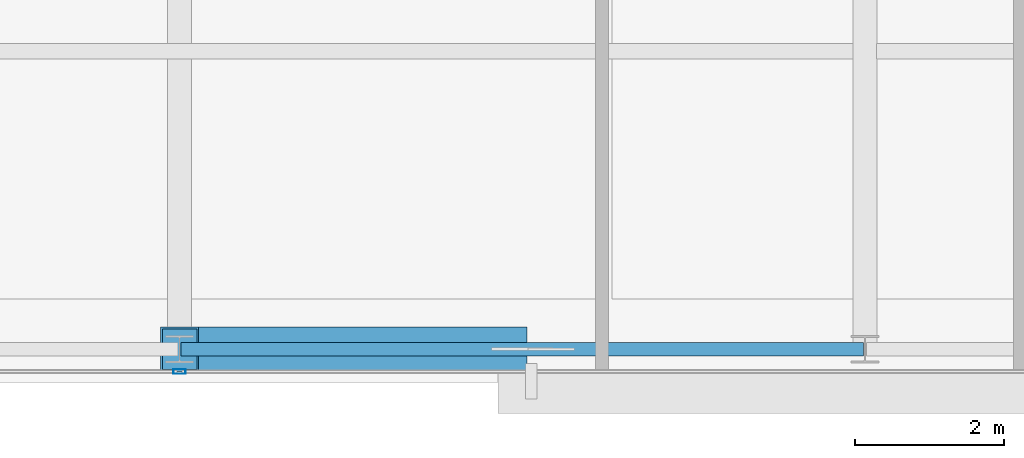
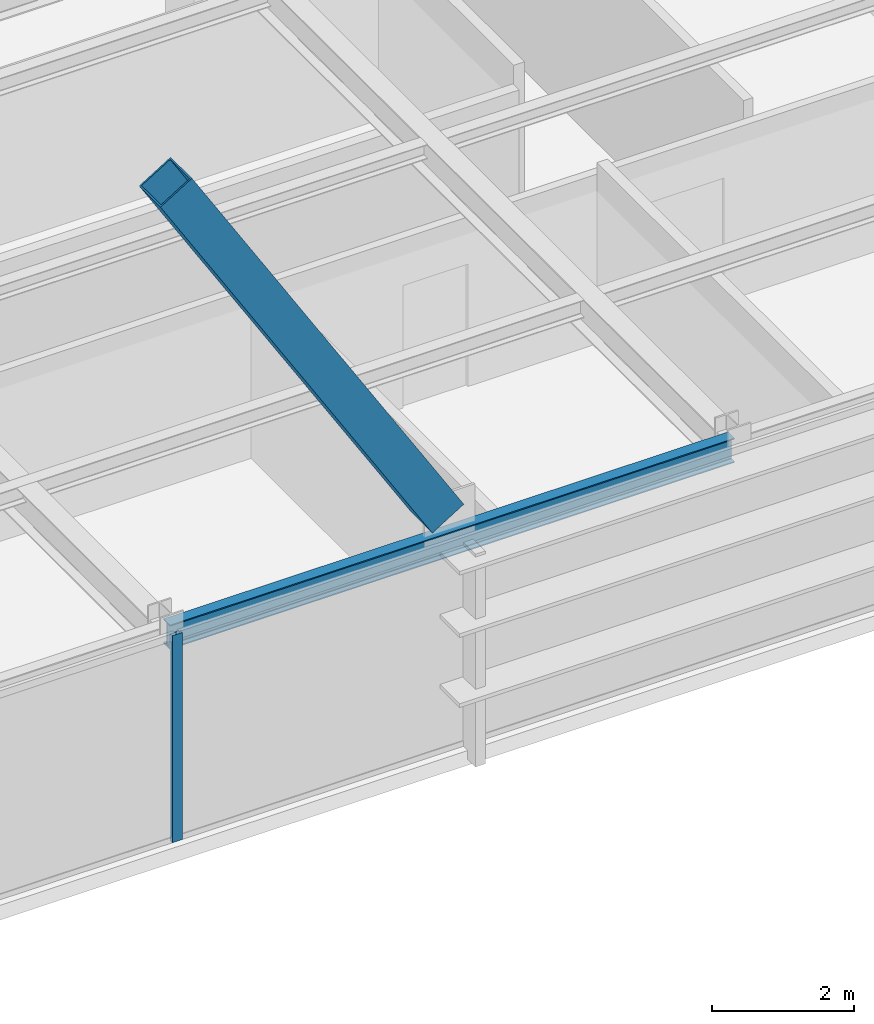
# One storey, part 9 of 30: 2 members, 1 beam, 1 element without a shape of its own.
"""IFC4 building model written with IfcOpenShell, lengths in metres."""

from ifc_helpers import new_model, si_unit, direction, frame, origin, origin_2d, place, context, subcontext, project, spatial, hollow_rectangle, i_section, extrude, source, transform, mapped, material, layer, layer_set, material_profile, profile_set, type_object, type_shapes, element, aggregate, save


model = new_model("IFC4")

# Units and contexts
model_context = context("Model", 3, precision=1e-05, world=origin(), true_north=direction((0.0, 1.0)))
body_context = subcontext(model_context, "Body", "Model", "MODEL_VIEW")
ifc_project = project(units=[si_unit("LENGTHUNIT", "METRE"), si_unit("AREAUNIT", "SQUARE_METRE"), si_unit("VOLUMEUNIT", "CUBIC_METRE"), si_unit("PLANEANGLEUNIT", "RADIAN"), si_unit("MASSUNIT", "GRAM", prefix="KILO")], contexts=[model_context])

# Site, building, storey
site_placement = place(None, origin())
site = spatial("IfcSite", under=ifc_project, at=site_placement, CompositionType="ELEMENT")
building_placement = place(site_placement, origin())
building = spatial("IfcBuilding", under=site, at=building_placement, Name="Varnel Quay Broadcast Tower", CompositionType="ELEMENT")
storey_placement = place(building_placement, frame((0.0, 0.0, 180.0)))
storey = spatial("IfcBuildingStorey", under=building, at=storey_placement, Name="L44", CompositionType="ELEMENT", Elevation=180.0)

# Beam
ifc_material_1 = material(Name="Structural Steel CSA G40.21 350W", Category="steel")
ifc_material_profile_1 = material_profile(ifc_material_1, i_section(OverallWidth=0.180908203125, OverallDepth=0.4169921875, WebThickness=0.010986328125, FlangeThickness=0.018310546875, FilletRadius=0.011962890625, at=origin_2d()), Name="W410X85")
ifc_profile_set_1 = profile_set([ifc_material_profile_1], Name="Structural Steel CSA G40.21 350W")
beam_type = type_object("IfcBeamType", Name="Beam_W410X85", PredefinedType="SPANDREL", material=ifc_profile_set_1)
shared_shape_1 = source(origin(), body_context, "Body", "SweptSolid", [
    extrude(i_section(OverallWidth=0.180908203125, OverallDepth=0.4169921875, WebThickness=0.010986328125, FlangeThickness=0.018310546875, FilletRadius=0.011962890625, at=origin_2d()), origin(), (0.0, 0.0, 1.0), 9.159912109375),
])
type_shapes(beam_type, [shared_shape_1])
beam_placement = place(storey_placement, frame((34.02001953125, 7.64990234375, 3.341552734375), z_axis=(1.0, 0.0, 0.0), x_axis=(0.0, 1.0, 0.0)))
element("IfcBeam", 1, at=beam_placement, inside=storey, type_object=beam_type, Name="L44 South Spandrel TC-S3-TC-S4", PredefinedType="SPANDREL", context=body_context, shape_type="MappedRepresentation", body=[
    mapped(shared_shape_1, transform((0.0, 0.0, 0.0), x_axis=(1.0, 0.0, 0.0), y_axis=(0.0, 1.0, 0.0), z_axis=(0.0, 0.0, 1.0), scale=1.0)),
])

# Member
ifc_material_2 = material(Name="Structural Steel CSA G40.21 350WT", Category="steel")
ifc_material_profile_2 = material_profile(ifc_material_2, hollow_rectangle(XDim=0.60009765625, YDim=0.60009765625, WallThickness=0.028076171875, at=origin_2d()), Name="BOX600X600X28")
ifc_profile_set_2 = profile_set([ifc_material_profile_2], Name="Structural Steel CSA G40.21 350WT")
member_type_1 = type_object("IfcMemberType", Name="Brace_BOX600X600X28", PredefinedType="BRACE", material=ifc_profile_set_2)
shared_shape_2 = source(origin(), body_context, "Body", "SweptSolid", [
    extrude(hollow_rectangle(XDim=0.60009765625, YDim=0.60009765625, WallThickness=0.028076171875, at=origin_2d()), origin(), (0.0, 0.0, 1.0), 8.38671875),
])
type_shapes(member_type_1, [shared_shape_2])
member_1_placement = place(storey_placement, frame((38.410400390625, 7.64990234375, 3.966552734375), z_axis=(-0.525871495166, 0.0, 0.850564030848), x_axis=(0.0, -1.0, 0.0)))
element("IfcMember", 2, at=member_1_placement, inside=storey, type_object=member_type_1, Name="Zone 3 Mega-Brace S-C2T3 Split Diag B2", PredefinedType="BRACE", context=body_context, shape_type="MappedRepresentation", body=[
    mapped(shared_shape_2, transform((0.0, 0.0, 0.0), x_axis=(1.0, 0.0, 0.0), y_axis=(0.0, 1.0, 0.0), z_axis=(0.0, 0.0, 1.0), scale=1.0)),
])

# Curtain wall, member
ifc_material_3 = material(Name="Anodised Bronze Aluminium 6063-T6", Category="aluminium")
ifc_layer = layer(ifc_material_3, 0.18994140625, Name="Anodised Bronze Aluminium 6063-T6")
ifc_layer_set = layer_set([ifc_layer], Name="Anodised Bronze Aluminium 6063-T6")
curtain_wall_type = type_object("IfcCurtainWallType", Name="CW_UpperTower", PredefinedType="NOTDEFINED", material=ifc_layer_set)
curtain_wall_placement = place(storey_placement, origin())
curtain_wall = element("IfcCurtainWall", 3, at=curtain_wall_placement, inside=storey, type_object=curtain_wall_type, Name="L44 South Unitised Curtain Wall 1", PredefinedType="NOTDEFINED")
ifc_material_profile_3 = material_profile(ifc_material_3, hollow_rectangle(XDim=0.06494140625, YDim=0.1650390625, WallThickness=0.00341796875, at=origin_2d()), Name="ALU65X165X3.5")
ifc_profile_set_3 = profile_set([ifc_material_profile_3], Name="Anodised Bronze Aluminium 6063-T6")
member_type_2 = type_object("IfcMemberType", Name="Mull_CWS-03", PredefinedType="MULLION", material=ifc_profile_set_3)
shared_shape_3 = source(origin(), body_context, "Body", "SweptSolid", [
    extrude(hollow_rectangle(XDim=0.06494140625, YDim=0.1650390625, WallThickness=0.00341796875, at=origin_2d()), origin(), (0.0, 0.0, 1.0), 3.550048828125),
])
type_shapes(member_type_2, [shared_shape_3])
member_2_placement = place(storey_placement, frame((34.0, 7.35009765625, 0.0), z_axis=(0.0, 0.0, 1.0), x_axis=(0.0, 1.0, 0.0)))
member_2 = element("IfcMember", 4, at=member_2_placement, type_object=member_type_2, Name="CWS-03 mullion 3", PredefinedType="MULLION", context=body_context, shape_type="MappedRepresentation", body=[
    mapped(shared_shape_3, transform((0.0, 0.0, 0.0), x_axis=(1.0, 0.0, 0.0), y_axis=(0.0, 1.0, 0.0), z_axis=(0.0, 0.0, 1.0), scale=1.0)),
])
aggregate(curtain_wall, [member_2])

save(model, "model.ifc")
